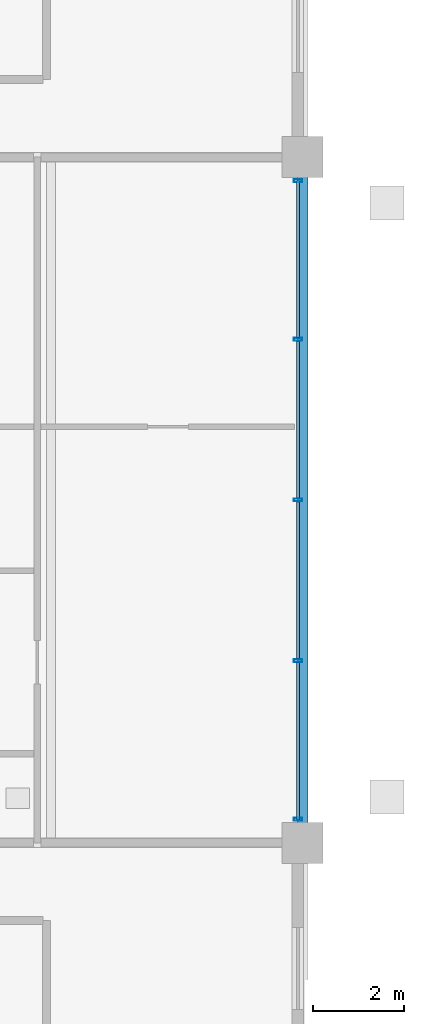
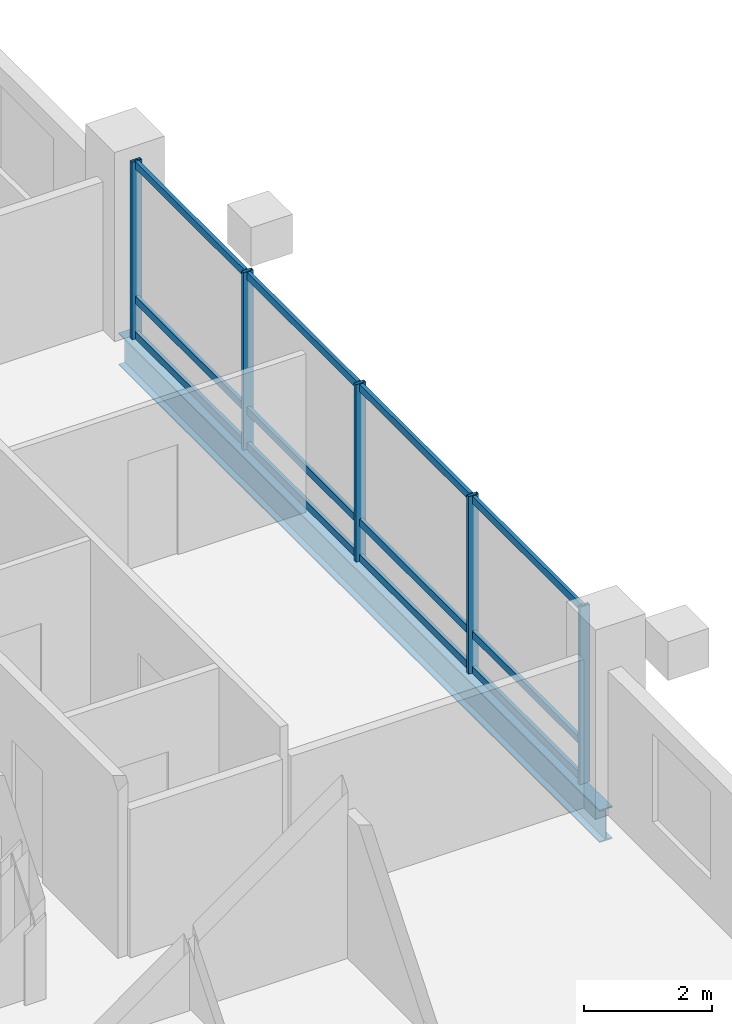
# One storey, part 10 of 22: 17 members, 1 beam, 1 element without a shape of its own.
"""IFC4 building model written with IfcOpenShell, lengths in metres."""

from ifc_helpers import new_model, si_unit, direction, frame, origin, origin_2d, place, context, subcontext, project, spatial, hollow_rectangle, i_section, extrude, material, layer, layer_set, material_profile, profile_set, type_object, element, aggregate, save


model = new_model("IFC4")

# Units and contexts
model_context = context("Model", 3, precision=1e-05, world=origin(), true_north=direction((0.0, 1.0)))
body_context = subcontext(model_context, "Body", "Model", "MODEL_VIEW")
ifc_project = project(units=[si_unit("LENGTHUNIT", "METRE"), si_unit("AREAUNIT", "SQUARE_METRE"), si_unit("VOLUMEUNIT", "CUBIC_METRE"), si_unit("PLANEANGLEUNIT", "RADIAN"), si_unit("MASSUNIT", "GRAM", prefix="KILO")], contexts=[model_context])

# Site, building, storey
site_placement = place(None, origin())
site = spatial("IfcSite", under=ifc_project, at=site_placement, CompositionType="ELEMENT")
building_placement = place(site_placement, origin())
building = spatial("IfcBuilding", under=site, at=building_placement, Name="Barlavira Tower and Art Museum", CompositionType="ELEMENT")
storey_placement = place(building_placement, frame((0.0, 0.0, 243.89990234375)))
storey = spatial("IfcBuildingStorey", under=building, at=storey_placement, Name="L63", CompositionType="ELEMENT", Elevation=243.89990234375)

# Curtain wall, members
ifc_material_1 = material(Name="Low-iron coastal laminated glass", Category="glass")
ifc_layer = layer(ifc_material_1, 0.2099609375, Name="Low-iron coastal laminated glass")
ifc_layer_set = layer_set([ifc_layer], Name="Low-iron coastal laminated glass")
curtain_wall_type = type_object("IfcCurtainWallType", Name="Pale-Metal Unitised Curtain Wall Zone 4", PredefinedType="NOTDEFINED", material=ifc_layer_set)
curtain_wall_placement = place(storey_placement, origin())
curtain_wall = element("IfcCurtainWall", 1, at=curtain_wall_placement, inside=storey, type_object=curtain_wall_type, Name="L63 Curtain Wall CW4-L63-E-B3", PredefinedType="NOTDEFINED")
ifc_material_2 = material(Name="Pale anodised aluminium", Category="aluminium")
ifc_material_profile_1 = material_profile(ifc_material_2, hollow_rectangle(XDim=0.06494140625, YDim=0.179931640625, WallThickness=0.00390625, at=origin_2d()), Name="ALU-MULL 65x180x4")
ifc_profile_set_1 = profile_set([ifc_material_profile_1], Name="Pale anodised aluminium")
member_type_1 = type_object("IfcMemberType", Name="Curtain Wall Pale-Metal Mullion 65x180", PredefinedType="MULLION", material=ifc_profile_set_1)
member_1_placement = place(storey_placement, frame((16.89990234375, -6.985107421875, 0.0), z_axis=(0.0, 0.0, 1.0), x_axis=(0.0, 1.0, 0.0)))
member_1 = element("IfcMember", 2, at=member_1_placement, type_object=member_type_1, Name="CW4-L63-E-B3 Mullion 0", PredefinedType="MULLION", context=body_context, shape_type="SweptSolid", body=[
    extrude(hollow_rectangle(XDim=0.06494140625, YDim=0.179931640625, WallThickness=0.00390625, at=origin_2d()), origin(), (0.0, 0.0, 1.0), 3.380126953125),
])
member_2_placement = place(storey_placement, frame((16.89990234375, -3.514892578125, 0.0), z_axis=(0.0, 0.0, 1.0), x_axis=(0.0, 1.0, 0.0)))
member_2 = element("IfcMember", 3, at=member_2_placement, type_object=member_type_1, Name="CW4-L63-E-B3 Mullion 1", PredefinedType="MULLION", context=body_context, shape_type="SweptSolid", body=[
    extrude(hollow_rectangle(XDim=0.06494140625, YDim=0.179931640625, WallThickness=0.00390625, at=origin_2d()), origin(), (0.0, 0.0, 1.0), 3.380126953125),
])
member_3_placement = place(storey_placement, frame((16.89990234375, 0.0, 0.0), z_axis=(0.0, 0.0, 1.0), x_axis=(0.0, 1.0, 0.0)))
member_3 = element("IfcMember", 4, at=member_3_placement, type_object=member_type_1, Name="CW4-L63-E-B3 Mullion 2", PredefinedType="MULLION", context=body_context, shape_type="SweptSolid", body=[
    extrude(hollow_rectangle(XDim=0.06494140625, YDim=0.179931640625, WallThickness=0.00390625, at=origin_2d()), origin(), (0.0, 0.0, 1.0), 3.380126953125),
])
member_4_placement = place(storey_placement, frame((16.89990234375, 3.514892578125, 0.0), z_axis=(0.0, 0.0, 1.0), x_axis=(0.0, 1.0, 0.0)))
member_4 = element("IfcMember", 5, at=member_4_placement, type_object=member_type_1, Name="CW4-L63-E-B3 Mullion 3", PredefinedType="MULLION", context=body_context, shape_type="SweptSolid", body=[
    extrude(hollow_rectangle(XDim=0.06494140625, YDim=0.179931640625, WallThickness=0.00390625, at=origin_2d()), origin(), (0.0, 0.0, 1.0), 3.380126953125),
])
member_5_placement = place(storey_placement, frame((16.89990234375, 6.985107421875, 0.0), z_axis=(0.0, 0.0, 1.0), x_axis=(0.0, 1.0, 0.0)))
member_5 = element("IfcMember", 6, at=member_5_placement, type_object=member_type_1, Name="CW4-L63-E-B3 Mullion 4", PredefinedType="MULLION", context=body_context, shape_type="SweptSolid", body=[
    extrude(hollow_rectangle(XDim=0.06494140625, YDim=0.179931640625, WallThickness=0.00390625, at=origin_2d()), origin(), (0.0, 0.0, 1.0), 3.380126953125),
])
ifc_material_profile_2 = material_profile(ifc_material_2, hollow_rectangle(XDim=0.06494140625, YDim=0.139892578125, WallThickness=0.00390625, at=origin_2d()), Name="ALU-TRAN 65x140x4")
ifc_profile_set_2 = profile_set([ifc_material_profile_2], Name="Pale anodised aluminium")
member_type_2 = type_object("IfcMemberType", Name="Curtain Wall Pale-Metal Transom 65x140", PredefinedType="USERDEFINED", material=ifc_profile_set_2)
member_6_placement = place(storey_placement, frame((16.89990234375, -6.985107421875, 0.070068359375), z_axis=(0.0, 1.0, 0.0), x_axis=(-1.0, 0.0, 0.0)))
member_6 = element("IfcMember", 7, at=member_6_placement, type_object=member_type_2, Name="CW4-L63-E-B3 Transom 0.1", ObjectType="TRANSOM", PredefinedType="USERDEFINED", context=body_context, shape_type="SweptSolid", body=[
    extrude(hollow_rectangle(XDim=0.06494140625, YDim=0.139892578125, WallThickness=0.00390625, at=origin_2d()), origin(), (0.0, 0.0, 1.0), 3.425048828125),
])
member_7_placement = place(storey_placement, frame((16.89990234375, -6.985107421875, 0.744140625), z_axis=(0.0, 1.0, 0.0), x_axis=(-1.0, 0.0, 0.0)))
member_7 = element("IfcMember", 8, at=member_7_placement, type_object=member_type_2, Name="CW4-L63-E-B3 Transom 0.2", ObjectType="TRANSOM", PredefinedType="USERDEFINED", context=body_context, shape_type="SweptSolid", body=[
    extrude(hollow_rectangle(XDim=0.06494140625, YDim=0.139892578125, WallThickness=0.00390625, at=origin_2d()), origin(), (0.0, 0.0, 1.0), 3.425048828125),
])
member_8_placement = place(storey_placement, frame((16.89990234375, -6.985107421875, 3.31005859375), z_axis=(0.0, 1.0, 0.0), x_axis=(-1.0, 0.0, 0.0)))
member_8 = element("IfcMember", 9, at=member_8_placement, type_object=member_type_2, Name="CW4-L63-E-B3 Transom 0.3", ObjectType="TRANSOM", PredefinedType="USERDEFINED", context=body_context, shape_type="SweptSolid", body=[
    extrude(hollow_rectangle(XDim=0.06494140625, YDim=0.139892578125, WallThickness=0.00390625, at=origin_2d()), origin(), (0.0, 0.0, 1.0), 3.425048828125),
])
member_9_placement = place(storey_placement, frame((16.89990234375, -3.469970703125, 0.070068359375), z_axis=(0.0, 1.0, 0.0), x_axis=(-1.0, 0.0, 0.0)))
member_9 = element("IfcMember", 10, at=member_9_placement, type_object=member_type_2, Name="CW4-L63-E-B3 Transom 1.1", ObjectType="TRANSOM", PredefinedType="USERDEFINED", context=body_context, shape_type="SweptSolid", body=[
    extrude(hollow_rectangle(XDim=0.06494140625, YDim=0.139892578125, WallThickness=0.00390625, at=origin_2d()), origin(), (0.0, 0.0, 1.0), 3.425048828125),
])
member_10_placement = place(storey_placement, frame((16.89990234375, -3.469970703125, 0.744140625), z_axis=(0.0, 1.0, 0.0), x_axis=(-1.0, 0.0, 0.0)))
member_10 = element("IfcMember", 11, at=member_10_placement, type_object=member_type_2, Name="CW4-L63-E-B3 Transom 1.2", ObjectType="TRANSOM", PredefinedType="USERDEFINED", context=body_context, shape_type="SweptSolid", body=[
    extrude(hollow_rectangle(XDim=0.06494140625, YDim=0.139892578125, WallThickness=0.00390625, at=origin_2d()), origin(), (0.0, 0.0, 1.0), 3.425048828125),
])
member_11_placement = place(storey_placement, frame((16.89990234375, -3.469970703125, 3.31005859375), z_axis=(0.0, 1.0, 0.0), x_axis=(-1.0, 0.0, 0.0)))
member_11 = element("IfcMember", 12, at=member_11_placement, type_object=member_type_2, Name="CW4-L63-E-B3 Transom 1.3", ObjectType="TRANSOM", PredefinedType="USERDEFINED", context=body_context, shape_type="SweptSolid", body=[
    extrude(hollow_rectangle(XDim=0.06494140625, YDim=0.139892578125, WallThickness=0.00390625, at=origin_2d()), origin(), (0.0, 0.0, 1.0), 3.425048828125),
])
member_12_placement = place(storey_placement, frame((16.89990234375, 0.044921875, 0.070068359375), z_axis=(0.0, 1.0, 0.0), x_axis=(-1.0, 0.0, 0.0)))
member_12 = element("IfcMember", 13, at=member_12_placement, type_object=member_type_2, Name="CW4-L63-E-B3 Transom 2.1", ObjectType="TRANSOM", PredefinedType="USERDEFINED", context=body_context, shape_type="SweptSolid", body=[
    extrude(hollow_rectangle(XDim=0.06494140625, YDim=0.139892578125, WallThickness=0.00390625, at=origin_2d()), origin(), (0.0, 0.0, 1.0), 3.425048828125),
])
member_13_placement = place(storey_placement, frame((16.89990234375, 0.044921875, 0.744140625), z_axis=(0.0, 1.0, 0.0), x_axis=(-1.0, 0.0, 0.0)))
member_13 = element("IfcMember", 14, at=member_13_placement, type_object=member_type_2, Name="CW4-L63-E-B3 Transom 2.2", ObjectType="TRANSOM", PredefinedType="USERDEFINED", context=body_context, shape_type="SweptSolid", body=[
    extrude(hollow_rectangle(XDim=0.06494140625, YDim=0.139892578125, WallThickness=0.00390625, at=origin_2d()), origin(), (0.0, 0.0, 1.0), 3.425048828125),
])
member_14_placement = place(storey_placement, frame((16.89990234375, 0.044921875, 3.31005859375), z_axis=(0.0, 1.0, 0.0), x_axis=(-1.0, 0.0, 0.0)))
member_14 = element("IfcMember", 15, at=member_14_placement, type_object=member_type_2, Name="CW4-L63-E-B3 Transom 2.3", ObjectType="TRANSOM", PredefinedType="USERDEFINED", context=body_context, shape_type="SweptSolid", body=[
    extrude(hollow_rectangle(XDim=0.06494140625, YDim=0.139892578125, WallThickness=0.00390625, at=origin_2d()), origin(), (0.0, 0.0, 1.0), 3.425048828125),
])
member_15_placement = place(storey_placement, frame((16.89990234375, 3.56005859375, 0.070068359375), z_axis=(0.0, 1.0, 0.0), x_axis=(-1.0, 0.0, 0.0)))
member_15 = element("IfcMember", 16, at=member_15_placement, type_object=member_type_2, Name="CW4-L63-E-B3 Transom 3.1", ObjectType="TRANSOM", PredefinedType="USERDEFINED", context=body_context, shape_type="SweptSolid", body=[
    extrude(hollow_rectangle(XDim=0.06494140625, YDim=0.139892578125, WallThickness=0.00390625, at=origin_2d()), origin(), (0.0, 0.0, 1.0), 3.425048828125),
])
member_16_placement = place(storey_placement, frame((16.89990234375, 3.56005859375, 0.744140625), z_axis=(0.0, 1.0, 0.0), x_axis=(-1.0, 0.0, 0.0)))
member_16 = element("IfcMember", 17, at=member_16_placement, type_object=member_type_2, Name="CW4-L63-E-B3 Transom 3.2", ObjectType="TRANSOM", PredefinedType="USERDEFINED", context=body_context, shape_type="SweptSolid", body=[
    extrude(hollow_rectangle(XDim=0.06494140625, YDim=0.139892578125, WallThickness=0.00390625, at=origin_2d()), origin(), (0.0, 0.0, 1.0), 3.425048828125),
])
member_17_placement = place(storey_placement, frame((16.89990234375, 3.56005859375, 3.31005859375), z_axis=(0.0, 1.0, 0.0), x_axis=(-1.0, 0.0, 0.0)))
member_17 = element("IfcMember", 18, at=member_17_placement, type_object=member_type_2, Name="CW4-L63-E-B3 Transom 3.3", ObjectType="TRANSOM", PredefinedType="USERDEFINED", context=body_context, shape_type="SweptSolid", body=[
    extrude(hollow_rectangle(XDim=0.06494140625, YDim=0.139892578125, WallThickness=0.00390625, at=origin_2d()), origin(), (0.0, 0.0, 1.0), 3.425048828125),
])
aggregate(curtain_wall, [member_1, member_2, member_3, member_4, member_5, member_6, member_7, member_8, member_9, member_10, member_11, member_12, member_13, member_14, member_15, member_16, member_17])

# Beam
ifc_material_3 = material(Name="Steel S355", Category="steel")
ifc_material_profile_3 = material_profile(ifc_material_3, i_section(OverallWidth=0.22998046875, OverallDepth=0.616943359375, WebThickness=0.01318359375, FlangeThickness=0.022216796875, at=origin_2d()), Name="W610x140.0")
ifc_profile_set_3 = profile_set([ifc_material_profile_3], Name="Steel S355")
beam_type = type_object("IfcBeamType", Name="Upper Shaft Spandrel Edge Beam W610x140 Steel S355", PredefinedType="SPANDREL", material=ifc_profile_set_3)
beam_placement = place(storey_placement, frame((17.0, -7.5, -0.5283203125), z_axis=(0.0, 1.0, 0.0), x_axis=(-1.0, 0.0, 0.0)))
element("IfcBeam", 19, at=beam_placement, inside=storey, type_object=beam_type, Name="L63 Spandrel 6", PredefinedType="SPANDREL", context=body_context, shape_type="SweptSolid", body=[
    extrude(i_section(OverallWidth=0.22998046875, OverallDepth=0.616943359375, WebThickness=0.01318359375, FlangeThickness=0.022216796875, at=origin_2d()), origin(), (0.0, 0.0, 1.0), 15.0),
])

save(model, "model.ifc")
